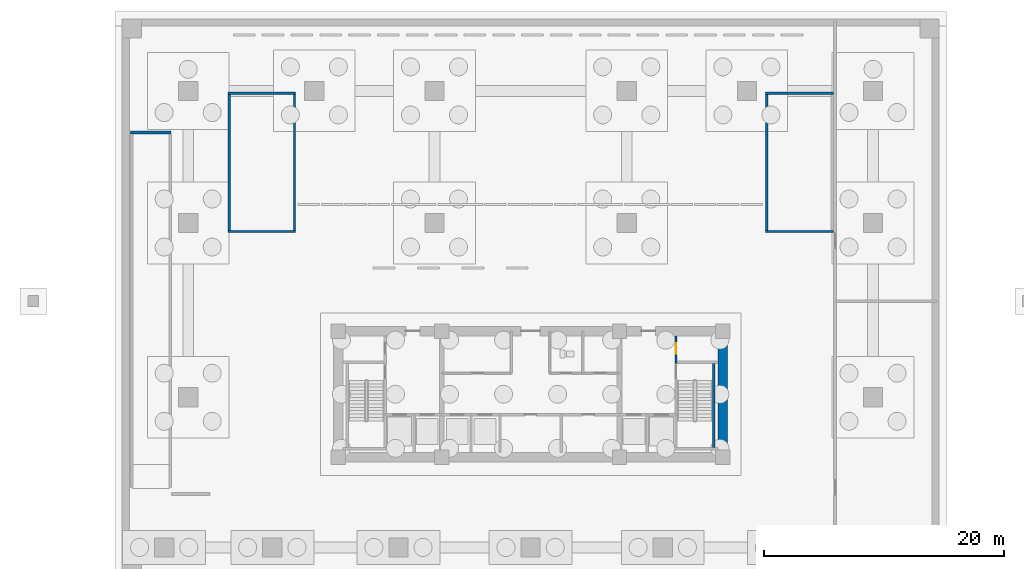
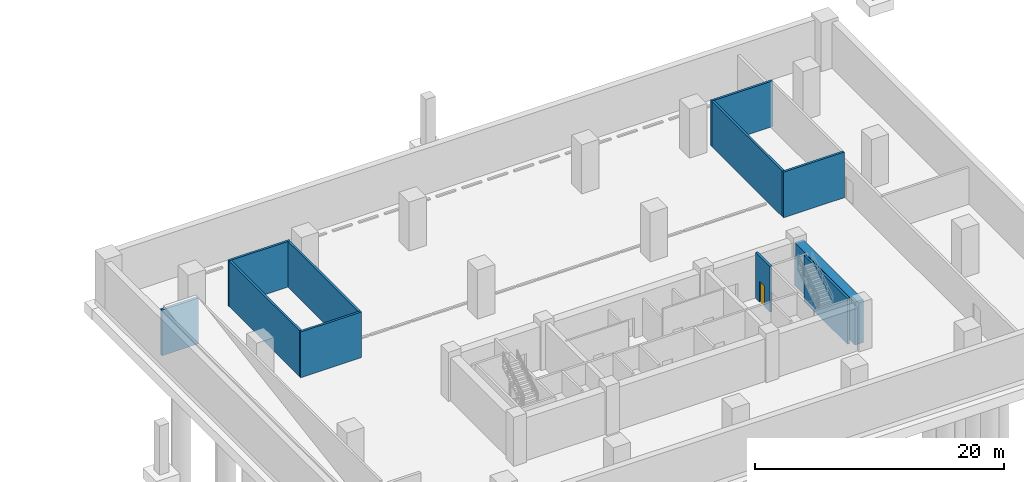
# One storey, part 4 of 8: 11 walls, 1 door, 1 opening.
"""IFC4 building model written with IfcOpenShell, lengths in metres."""

import ifcopenshell
import ifcopenshell.guid

model = None  # the IFC model being written
_history = None  # IfcOwnerHistory: only IFC2X3 demands one
_inside = {}  # id of a spatial element -> (the spatial element, [elements in it])
_under = {}  # id of a project, library or spatial element -> (it, [spatial elements below it])
_declared = {}  # id of a project -> (the project, [libraries it declares])
_typed = {}  # id of a type object -> (the type object, [elements of that type])
_made_of = {}  # id of a material, layer set ... -> (it, [elements and type objects made of it])


def new_model(schema):
    """Start an empty IFC model of exactly this schema.

    Asked for "IFC4X3", IfcOpenShell would pick the latest addendum, in which some entities
    have other attributes; the version numbers below select the first issue.
    IFC2X3 requires an IfcOwnerHistory on every rooted entity: one is made here for all.
    """
    global model, _history
    if schema == "IFC4X3":
        model = ifcopenshell.file(schema_version=(4, 3, 0, 0))
    else:
        model = ifcopenshell.file(schema=schema)
    _inside.clear()
    _under.clear()
    _declared.clear()
    _typed.clear()
    _made_of.clear()
    _history = None
    if model.schema == "IFC2X3":
        org = make("IfcOrganization", Name="unknown")
        user = make(
            "IfcPersonAndOrganization",
            ThePerson=make("IfcPerson", FamilyName="unknown"),
            TheOrganization=org,
        )
        app = make(
            "IfcApplication",
            ApplicationDeveloper=org,
            Version="unknown",
            ApplicationFullName="unknown",
            ApplicationIdentifier="unknown",
        )
        _history = make(
            "IfcOwnerHistory",
            OwningUser=user,
            OwningApplication=app,
            ChangeAction="ADDED",
            CreationDate=0,
        )
    return model


def make(cls, **values):
    """One entity of the class cls with the attributes given. An attribute that is None is left unset."""
    return model.create_entity(
        cls, **{name: value for name, value in values.items() if value is not None}
    )


def rooted(cls, **values):
    """An entity with a GlobalId (a new one), such as an element, a storey or a relation."""
    return make(cls, GlobalId=ifcopenshell.guid.new(), OwnerHistory=_history, **values)


def si_unit(unit_type, name, prefix=None):
    """IfcSIUnit, for example si_unit("LENGTHUNIT", "METRE", prefix="MILLI")."""
    return make("IfcSIUnit", UnitType=unit_type, Prefix=prefix, Name=name)


def assignment(units):
    """IfcUnitAssignment: the units of a project."""
    return None if units is None else make("IfcUnitAssignment", Units=units)


def point(xyz):
    """IfcCartesianPoint."""
    return None if xyz is None else make("IfcCartesianPoint", Coordinates=xyz)


def direction(xyz):
    """IfcDirection."""
    return None if xyz is None else make("IfcDirection", DirectionRatios=xyz)


def frame(location, z_axis=None, x_axis=None):
    """IfcAxis2Placement3D, a coordinate frame: its origin and axes. An axis left out is left unset."""
    return make(
        "IfcAxis2Placement3D",
        Location=point(location),
        Axis=direction(z_axis),
        RefDirection=direction(x_axis),
    )


def frame_2d(location, x_axis=None):
    """IfcAxis2Placement2D, a coordinate frame in the plane: its origin and x axis."""
    return make(
        "IfcAxis2Placement2D", Location=point(location), RefDirection=direction(x_axis)
    )


def origin():
    """The frame at (0, 0, 0) with its axes left unset."""
    return frame((0.0, 0.0, 0.0))


def place(relative_to, where):
    """IfcLocalPlacement: puts the frame where relative to a parent placement (None: the world)."""
    return make(
        "IfcLocalPlacement", PlacementRelTo=relative_to, RelativePlacement=where
    )


def context(
    kind, dimensions, precision=None, world=None, true_north=None, identifier=None
):
    """IfcGeometricRepresentationContext, for example the 3D "Model" context."""
    return make(
        "IfcGeometricRepresentationContext",
        ContextIdentifier=identifier,
        ContextType=kind,
        CoordinateSpaceDimension=dimensions,
        Precision=precision,
        WorldCoordinateSystem=world,
        TrueNorth=true_north,
    )


def subcontext(parent, identifier, kind, view, scale=None):
    """IfcGeometricRepresentationSubContext, for example "Body" below "Model"."""
    return make(
        "IfcGeometricRepresentationSubContext",
        ContextIdentifier=identifier,
        ContextType=kind,
        ParentContext=parent,
        TargetScale=scale,
        TargetView=view,
    )


def project(units=None, contexts=None):
    """IfcProject with its units and contexts."""
    return rooted(
        "IfcProject",
        Name="project",
        RepresentationContexts=contexts,
        UnitsInContext=assignment(units),
    )


def spatial(cls, under=None, at=None, **own):
    """A site, building, storey or space (cls), placed at a placement, below another one or the project."""
    s = rooted(cls, ObjectPlacement=at, **own)
    if under is not None:
        _under.setdefault(under.id(), (under, []))[1].append(s)
    return s


def profile(cls, at=None, kind="AREA", **sizes):
    """A parametric profile (cls). Its sizes go by their IFC names, for example OverallWidth=200.0."""
    return make(cls, ProfileType=kind, Position=at, **sizes)


def rectangle(**sizes):
    """IfcRectangleProfileDef."""
    return profile("IfcRectangleProfileDef", **sizes)


def extrude(swept, where, along, depth):
    """IfcExtrudedAreaSolid: the profile swept, set in the frame where, extruded along a direction by depth."""
    return make(
        "IfcExtrudedAreaSolid",
        SweptArea=swept,
        Position=where,
        ExtrudedDirection=direction(along),
        Depth=depth,
    )


def shape(context_of_items, identifier, shape_type, items):
    """IfcShapeRepresentation: the items that make up one representation, for example the "Body"."""
    return make(
        "IfcShapeRepresentation",
        ContextOfItems=context_of_items,
        RepresentationIdentifier=identifier,
        RepresentationType=shape_type,
        Items=items,
    )


def material(Name=None, Category=None):
    """IfcMaterial."""
    return make("IfcMaterial", Name=Name, Category=Category)


def layer(
    of_material, thickness, ventilated=None, Name=None, Category=None, Priority=None
):
    """IfcMaterialLayer: one layer of a wall or slab, of a material (None: an air gap)."""
    return make(
        "IfcMaterialLayer",
        Material=of_material,
        LayerThickness=thickness,
        IsVentilated=ventilated,
        Name=Name,
        Category=Category,
        Priority=Priority,
    )


def layer_set(layers, Name=None):
    """IfcMaterialLayerSet."""
    return make("IfcMaterialLayerSet", MaterialLayers=layers, LayerSetName=Name)


def made_of(thing, what):
    """Note that an element or type object is made of a material, layer set ...; save() writes the relation."""
    if what is not None:
        _made_of.setdefault(what.id(), (what, []))[1].append(thing)
    return thing


def type_object(cls, material=None, **own):
    """A type object (cls), such as IfcWallType, which elements share."""
    return made_of(rooted(cls, **own), material)


def element(
    cls,
    number,
    at=None,
    inside=None,
    cuts=None,
    type_object=None,
    material=None,
    context=None,
    identifier="Body",
    shape_type=None,
    held_by="IfcProductDefinitionShape",
    body=None,
    shapes=None,
    **own,
):
    """One element of the class cls, such as IfcWall. Its Tag is "e" and its number.

    at: its placement. inside: the storey or other place that contains it. cuts: it is an
    opening in that element (IfcRelVoidsElement). A single representation is given by context,
    identifier, shape_type and body (its items); several are given by shapes. held_by: the class
    of the entity that holds the representations. save() writes the other relations.
    """
    e = rooted(cls, Tag="e%d" % number, ObjectPlacement=at, **own)
    if body is not None:
        shapes = [shape(context, identifier, shape_type, body)]
    if shapes is not None:
        e.Representation = make(held_by, Representations=shapes)
    if inside is not None:
        _inside.setdefault(inside.id(), (inside, []))[1].append(e)
    if cuts is not None:
        rooted(
            "IfcRelVoidsElement", RelatingBuildingElement=cuts, RelatedOpeningElement=e
        )
    if type_object is not None:
        _typed.setdefault(type_object.id(), (type_object, []))[1].append(e)
    return made_of(e, material)


def fill(opening, filler):
    """IfcRelFillsElement: the door or window that sits in an opening."""
    return rooted(
        "IfcRelFillsElement",
        RelatingOpeningElement=opening,
        RelatedBuildingElement=filler,
    )


def aggregate(whole, parts):
    """IfcRelAggregates: a whole, such as a stair, and the parts it consists of."""
    return rooted("IfcRelAggregates", RelatingObject=whole, RelatedObjects=parts)


def save(model, path):
    """Write the relations noted so far, then the file.

    IfcRelAggregates (storeys below a building ...), IfcRelContainedInSpatialStructure (elements
    in a storey), IfcRelDefinesByType, IfcRelAssociatesMaterial and IfcRelDeclares: one each for
    every whole, place, type object, material and project.
    """
    for whole, parts in _under.values():
        aggregate(whole, parts)
    for where, things in _inside.values():
        rooted(
            "IfcRelContainedInSpatialStructure",
            RelatedElements=things,
            RelatingStructure=where,
        )
    for kind, things in _typed.values():
        rooted("IfcRelDefinesByType", RelatedObjects=things, RelatingType=kind)
    for what, things in _made_of.values():
        rooted("IfcRelAssociatesMaterial", RelatedObjects=things, RelatingMaterial=what)
    for by, libraries in _declared.values():
        rooted("IfcRelDeclares", RelatingContext=by, RelatedDefinitions=libraries)
    model.write(path)


model = new_model("IFC4")

# Units and contexts
model_context = context("Model", 3, precision=1e-05, world=origin(), true_north=direction((0.0, 1.0)))
body_context = subcontext(model_context, "Body", "Model", "MODEL_VIEW")
ifc_project = project(units=[si_unit("LENGTHUNIT", "METRE"), si_unit("AREAUNIT", "SQUARE_METRE"), si_unit("VOLUMEUNIT", "CUBIC_METRE"), si_unit("PLANEANGLEUNIT", "RADIAN"), si_unit("MASSUNIT", "GRAM", prefix="KILO")], contexts=[model_context])

# Site, building, storey
site_placement = place(None, origin())
site = spatial("IfcSite", under=ifc_project, at=site_placement, CompositionType="ELEMENT")
building_placement = place(site_placement, origin())
building = spatial("IfcBuilding", under=site, at=building_placement, Name="Solmavex Isthmus Hotel", CompositionType="ELEMENT")
storey_placement = place(building_placement, frame((0.0, 0.0, -10.0)))
storey = spatial("IfcBuildingStorey", under=building, at=storey_placement, Name="B02", CompositionType="ELEMENT", Elevation=-10.0)

# Wall, opening, door
ifc_material_1 = material(Name="Concrete C40/50", Category="concrete")
ifc_layer_1 = layer(ifc_material_1, 0.199951171875)
ifc_layer_set_1 = layer_set([ifc_layer_1], Name="Concrete C40/50")
wall_type_1 = type_object("IfcWallType", Name="IW-SHAFT-200", PredefinedType="PARTITIONING", material=ifc_layer_set_1)
wall_1_placement = place(storey_placement, frame((12.10009765625, -5.199951171875, 0.0), z_axis=(0.0, 0.0, 1.0), x_axis=(0.0, 1.0, 0.0)))
wall_1 = element("IfcWall", 1, at=wall_1_placement, inside=storey, type_object=wall_type_1, Name="Interior Partition Wall W-B02-RSE-W", PredefinedType="PARTITIONING", context=body_context, shape_type="SweptSolid", body=[
    extrude(rectangle(XDim=2.300048828125, YDim=0.199951171875, at=frame_2d((1.14990234375, 0.0))), origin(), (0.0, 0.0, 1.0), 4.47998046875),
])
opening_placement = place(wall_1_placement, frame((0.824951171875, 0.0, 0.0)))
opening = element("IfcOpeningElement", 2, at=opening_placement, cuts=wall_1, Name="Opening ID-R085", PredefinedType="OPENING", context=body_context, shape_type="SweptSolid", body=[
    extrude(rectangle(XDim=0.85009765625, YDim=2.050048828125, at=frame_2d((0.425048828125, 1.02490234375))), frame((0.0, 0.10986328125, 0.0), z_axis=(0.0, -1.0, 0.0), x_axis=(1.0, 0.0, 0.0)), (0.0, 0.0, 1.0), 0.219970703125),
])
ifc_material_2 = material(Name="Steel ASTM A500 Grade C", Category="steel")
door_type = type_object("IfcDoorType", Name="IDR-FD60-0850", OperationType="NOTDEFINED", PredefinedType="DOOR", material=ifc_material_2)
door_placement = place(opening_placement, frame((0.85009765625, 0.0, 0.0), z_axis=(0.0, 0.0, 1.0), x_axis=(-1.0, 0.0, 0.0)))
door = element("IfcDoor", 3, at=door_placement, inside=storey, type_object=door_type, Name="Mechanical Riser Door B02", OperationType="SINGLE_SWING_LEFT", OverallHeight=2.050048828125, OverallWidth=0.85009765625, PredefinedType="DOOR", context=body_context, shape_type="SweptSolid", body=[
    extrude(rectangle(XDim=0.85009765625, YDim=2.050048828125, at=frame_2d((0.425048828125, 1.02490234375))), frame((0.0, 0.02490234375, 0.0), z_axis=(0.0, -1.0, 0.0), x_axis=(1.0, 0.0, 0.0)), (0.0, 0.0, 1.0), 0.050048828125),
])
fill(opening, door)

# Walls
ifc_material_3 = material(Name="Concrete C70/85", Category="concrete")
ifc_layer_2 = layer(ifc_material_3, 0.800048828125)
ifc_layer_set_2 = layer_set([ifc_layer_2], Name="Concrete C70/85")
wall_type_2 = type_object("IfcWallType", Name="WALL-CW-800", PredefinedType="SHEAR", material=ifc_layer_set_2)
wall_2_placement = place(storey_placement, frame((16.0, -12.60009765625, 0.0), z_axis=(0.0, 0.0, 1.0), x_axis=(0.0, 1.0, 0.0)))
element("IfcWall", 4, at=wall_2_placement, inside=storey, type_object=wall_type_2, Name="Core Shear Wall East B02", PredefinedType="SHEAR", context=body_context, shape_type="SweptSolid", body=[
    extrude(rectangle(XDim=9.7001953125, YDim=0.800048828125, at=frame_2d((4.85009765625, 0.0))), origin(), (0.0, 0.0, 1.0), 4.199951171875),
])
ifc_layer_3 = layer(ifc_material_1, 0.199951171875)
ifc_layer_set_3 = layer_set([ifc_layer_3], Name="Concrete C40/50")
wall_type_3 = type_object("IfcWallType", Name="WALL-SW-200", PredefinedType="SOLIDWALL", material=ifc_layer_set_3)
wall_3_placement = place(storey_placement, frame((15.25, -12.199951171875, 0.0), z_axis=(0.0, 0.0, 1.0), x_axis=(0.0, 1.0, 0.0)))
element("IfcWall", 5, at=wall_3_placement, inside=storey, type_object=wall_type_3, Name="Stairwell Structural Wall SW-B02-ST2-E", PredefinedType="SOLIDWALL", context=body_context, shape_type="SweptSolid", body=[
    extrude(rectangle(XDim=7.0, YDim=0.199951171875, at=frame_2d((3.5, 0.0))), origin(), (0.0, 0.0, 1.0), 4.47998046875),
])
for number, where, z_axis, x_axis, name in (
    (6, (19.550048828125, 5.800048828125, 0.0), (0.0, 0.0, 1.0), (1.0, 0.0, 0.0), "Stairwell Structural Wall SW-B02-ST3-S"),
    (7, (19.550048828125, 17.300048828125, 0.0), (0.0, 0.0, 1.0), (1.0, 0.0, 0.0), "Stairwell Structural Wall SW-B02-ST3-N"),
):
    element("IfcWall", number, at=place(storey_placement, frame(where, z_axis=z_axis, x_axis=x_axis)), inside=storey, type_object=wall_type_3, Name=name, PredefinedType="SOLIDWALL", context=body_context, shape_type="SweptSolid", body=[
        extrude(rectangle(XDim=5.64990234375, YDim=0.199951171875, at=frame_2d((2.824951171875, 0.0))), origin(), (0.0, 0.0, 1.0), 4.47998046875),
    ])
wall_4_placement = place(storey_placement, frame((19.64990234375, 5.89990234375, 0.0), z_axis=(0.0, 0.0, 1.0), x_axis=(0.0, 1.0, 0.0)))
element("IfcWall", 8, at=wall_4_placement, inside=storey, type_object=wall_type_3, Name="Stairwell Structural Wall SW-B02-ST3-W", PredefinedType="SOLIDWALL", context=body_context, shape_type="SweptSolid", body=[
    extrude(rectangle(XDim=11.300048828125, YDim=0.199951171875, at=frame_2d((5.64990234375, 0.0))), origin(), (0.0, 0.0, 1.0), 4.47998046875),
])
for number, where, z_axis, x_axis, name in (
    (9, (-25.199951171875, 5.800048828125, 0.0), (0.0, 0.0, 1.0), (1.0, 0.0, 0.0), "Stairwell Structural Wall SW-B02-ST4-S"),
    (10, (-25.199951171875, 17.300048828125, 0.0), (0.0, 0.0, 1.0), (1.0, 0.0, 0.0), "Stairwell Structural Wall SW-B02-ST4-N"),
):
    element("IfcWall", number, at=place(storey_placement, frame(where, z_axis=z_axis, x_axis=x_axis)), inside=storey, type_object=wall_type_3, Name=name, PredefinedType="SOLIDWALL", context=body_context, shape_type="SweptSolid", body=[
        extrude(rectangle(XDim=5.64990234375, YDim=0.199951171875, at=frame_2d((2.824951171875, 0.0))), origin(), (0.0, 0.0, 1.0), 4.47998046875),
    ])
for number, where, z_axis, x_axis, name in (
    (11, (-25.10009765625, 5.89990234375, 0.0), (0.0, 0.0, 1.0), (0.0, 1.0, 0.0), "Stairwell Structural Wall SW-B02-ST4-W"),
    (12, (-19.64990234375, 5.89990234375, 0.0), (0.0, 0.0, 1.0), (0.0, 1.0, 0.0), "Stairwell Structural Wall SW-B02-ST4-E"),
):
    element("IfcWall", number, at=place(storey_placement, frame(where, z_axis=z_axis, x_axis=x_axis)), inside=storey, type_object=wall_type_3, Name=name, PredefinedType="SOLIDWALL", context=body_context, shape_type="SweptSolid", body=[
        extrude(rectangle(XDim=11.300048828125, YDim=0.199951171875, at=frame_2d((5.64990234375, 0.0))), origin(), (0.0, 0.0, 1.0), 4.47998046875),
    ])
ifc_layer_4 = layer(ifc_material_1, 0.25)
ifc_layer_set_4 = layer_set([ifc_layer_4], Name="Concrete C40/50")
wall_type_4 = type_object("IfcWallType", Name="WALL-SW-250", PredefinedType="SOLIDWALL", material=ifc_layer_set_4)
wall_5_placement = place(storey_placement, frame((-33.300048828125, 14.050048828125, 0.0), z_axis=(0.0, 0.0, 1.0), x_axis=(1.0, 0.0, 0.0)))
element("IfcWall", 13, at=wall_5_placement, inside=storey, type_object=wall_type_4, Name="Ramp Flight R1 Top Bearing Wall B02", PredefinedType="SOLIDWALL", context=body_context, shape_type="SweptSolid", body=[
    extrude(rectangle(XDim=3.35009765625, YDim=0.25, at=frame_2d((1.675048828125, 0.0))), origin(), (0.0, 0.0, 1.0), 4.47998046875),
])

save(model, "model.ifc")
